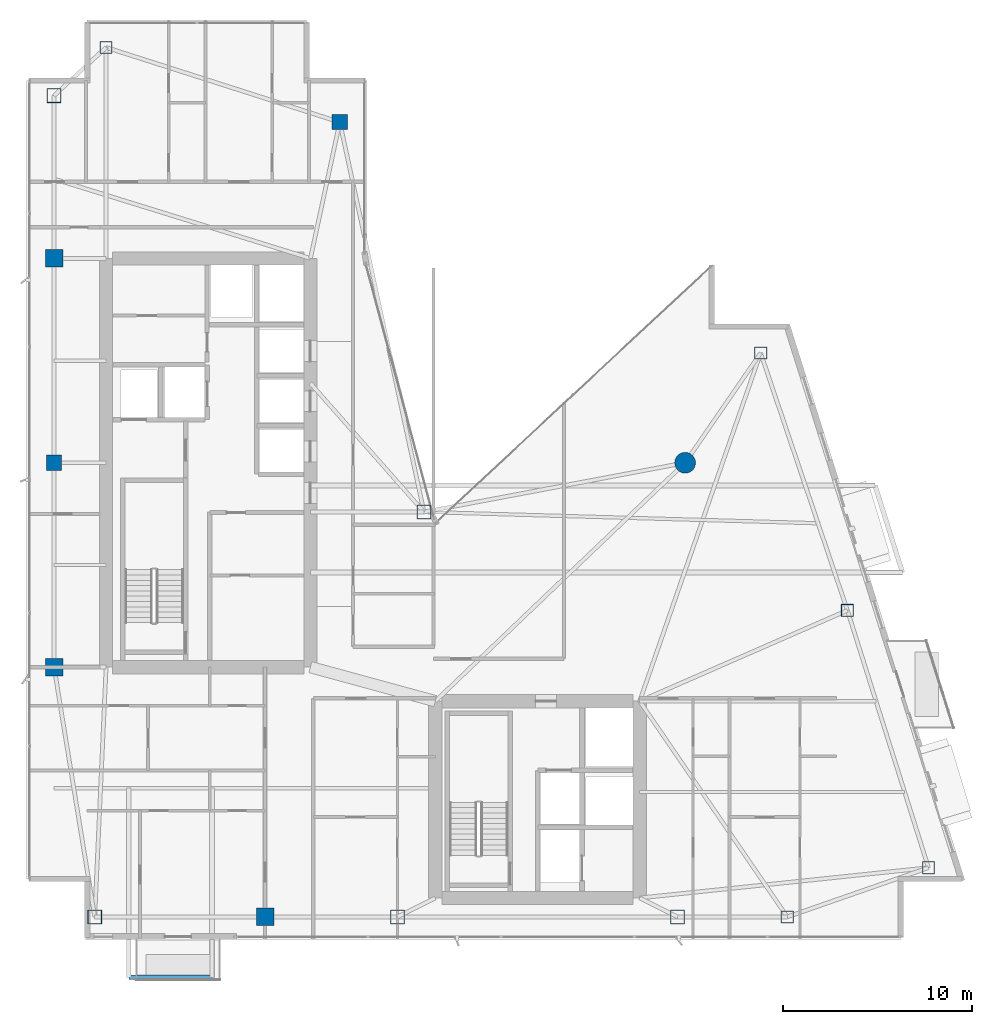
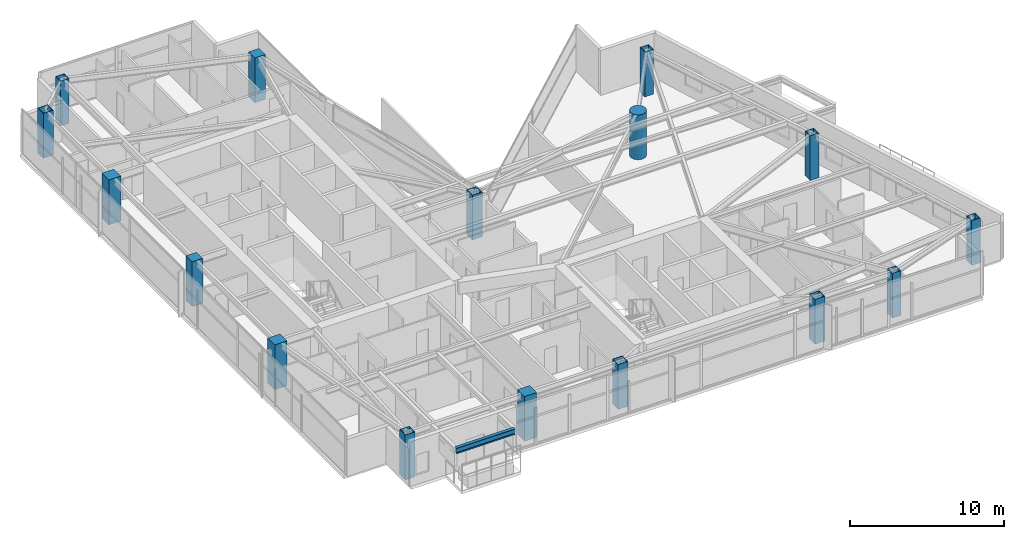
# One storey, part 1 of 27: 16 columns, 1 beam.
"""IFC4 building model written with IfcOpenShell, lengths in metres."""

import ifcopenshell
import ifcopenshell.guid

model = None  # the IFC model being written
_history = None  # IfcOwnerHistory: only IFC2X3 demands one
_inside = {}  # id of a spatial element -> (the spatial element, [elements in it])
_under = {}  # id of a project, library or spatial element -> (it, [spatial elements below it])
_declared = {}  # id of a project -> (the project, [libraries it declares])
_typed = {}  # id of a type object -> (the type object, [elements of that type])
_made_of = {}  # id of a material, layer set ... -> (it, [elements and type objects made of it])


def new_model(schema):
    """Start an empty IFC model of exactly this schema.

    Asked for "IFC4X3", IfcOpenShell would pick the latest addendum, in which some entities
    have other attributes; the version numbers below select the first issue.
    IFC2X3 requires an IfcOwnerHistory on every rooted entity: one is made here for all.
    """
    global model, _history
    if schema == "IFC4X3":
        model = ifcopenshell.file(schema_version=(4, 3, 0, 0))
    else:
        model = ifcopenshell.file(schema=schema)
    _inside.clear()
    _under.clear()
    _declared.clear()
    _typed.clear()
    _made_of.clear()
    _history = None
    if model.schema == "IFC2X3":
        org = make("IfcOrganization", Name="unknown")
        user = make(
            "IfcPersonAndOrganization",
            ThePerson=make("IfcPerson", FamilyName="unknown"),
            TheOrganization=org,
        )
        app = make(
            "IfcApplication",
            ApplicationDeveloper=org,
            Version="unknown",
            ApplicationFullName="unknown",
            ApplicationIdentifier="unknown",
        )
        _history = make(
            "IfcOwnerHistory",
            OwningUser=user,
            OwningApplication=app,
            ChangeAction="ADDED",
            CreationDate=0,
        )
    return model


def make(cls, **values):
    """One entity of the class cls with the attributes given. An attribute that is None is left unset."""
    return model.create_entity(
        cls, **{name: value for name, value in values.items() if value is not None}
    )


def rooted(cls, **values):
    """An entity with a GlobalId (a new one), such as an element, a storey or a relation."""
    return make(cls, GlobalId=ifcopenshell.guid.new(), OwnerHistory=_history, **values)


def si_unit(unit_type, name, prefix=None):
    """IfcSIUnit, for example si_unit("LENGTHUNIT", "METRE", prefix="MILLI")."""
    return make("IfcSIUnit", UnitType=unit_type, Prefix=prefix, Name=name)


def assignment(units):
    """IfcUnitAssignment: the units of a project."""
    return None if units is None else make("IfcUnitAssignment", Units=units)


def point(xyz):
    """IfcCartesianPoint."""
    return None if xyz is None else make("IfcCartesianPoint", Coordinates=xyz)


def direction(xyz):
    """IfcDirection."""
    return None if xyz is None else make("IfcDirection", DirectionRatios=xyz)


def frame(location, z_axis=None, x_axis=None):
    """IfcAxis2Placement3D, a coordinate frame: its origin and axes. An axis left out is left unset."""
    return make(
        "IfcAxis2Placement3D",
        Location=point(location),
        Axis=direction(z_axis),
        RefDirection=direction(x_axis),
    )


def frame_2d(location, x_axis=None):
    """IfcAxis2Placement2D, a coordinate frame in the plane: its origin and x axis."""
    return make(
        "IfcAxis2Placement2D", Location=point(location), RefDirection=direction(x_axis)
    )


def origin():
    """The frame at (0, 0, 0) with its axes left unset."""
    return frame((0.0, 0.0, 0.0))


def origin_2d():
    """The frame at (0, 0) in the plane with its x axis left unset."""
    return frame_2d((0.0, 0.0))


def place(relative_to, where):
    """IfcLocalPlacement: puts the frame where relative to a parent placement (None: the world)."""
    return make(
        "IfcLocalPlacement", PlacementRelTo=relative_to, RelativePlacement=where
    )


def context(
    kind, dimensions, precision=None, world=None, true_north=None, identifier=None
):
    """IfcGeometricRepresentationContext, for example the 3D "Model" context."""
    return make(
        "IfcGeometricRepresentationContext",
        ContextIdentifier=identifier,
        ContextType=kind,
        CoordinateSpaceDimension=dimensions,
        Precision=precision,
        WorldCoordinateSystem=world,
        TrueNorth=true_north,
    )


def subcontext(parent, identifier, kind, view, scale=None):
    """IfcGeometricRepresentationSubContext, for example "Body" below "Model"."""
    return make(
        "IfcGeometricRepresentationSubContext",
        ContextIdentifier=identifier,
        ContextType=kind,
        ParentContext=parent,
        TargetScale=scale,
        TargetView=view,
    )


def project(units=None, contexts=None):
    """IfcProject with its units and contexts."""
    return rooted(
        "IfcProject",
        Name="project",
        RepresentationContexts=contexts,
        UnitsInContext=assignment(units),
    )


def spatial(cls, under=None, at=None, **own):
    """A site, building, storey or space (cls), placed at a placement, below another one or the project."""
    s = rooted(cls, ObjectPlacement=at, **own)
    if under is not None:
        _under.setdefault(under.id(), (under, []))[1].append(s)
    return s


def profile(cls, at=None, kind="AREA", **sizes):
    """A parametric profile (cls). Its sizes go by their IFC names, for example OverallWidth=200.0."""
    return make(cls, ProfileType=kind, Position=at, **sizes)


def rectangle(**sizes):
    """IfcRectangleProfileDef."""
    return profile("IfcRectangleProfileDef", **sizes)


def hollow_rectangle(**sizes):
    """IfcRectangleHollowProfileDef."""
    return profile("IfcRectangleHollowProfileDef", **sizes)


def circle(**sizes):
    """IfcCircleProfileDef."""
    return profile("IfcCircleProfileDef", **sizes)


def i_section(**sizes):
    """IfcIShapeProfileDef."""
    return profile("IfcIShapeProfileDef", **sizes)


def extrude(swept, where, along, depth):
    """IfcExtrudedAreaSolid: the profile swept, set in the frame where, extruded along a direction by depth."""
    return make(
        "IfcExtrudedAreaSolid",
        SweptArea=swept,
        Position=where,
        ExtrudedDirection=direction(along),
        Depth=depth,
    )


def shape(context_of_items, identifier, shape_type, items):
    """IfcShapeRepresentation: the items that make up one representation, for example the "Body"."""
    return make(
        "IfcShapeRepresentation",
        ContextOfItems=context_of_items,
        RepresentationIdentifier=identifier,
        RepresentationType=shape_type,
        Items=items,
    )


def material(Name=None, Category=None):
    """IfcMaterial."""
    return make("IfcMaterial", Name=Name, Category=Category)


def material_profile(
    of_material, cross_section, Name=None, Category=None, Priority=None
):
    """IfcMaterialProfile: a cross section and its material."""
    return make(
        "IfcMaterialProfile",
        Name=Name,
        Material=of_material,
        Profile=cross_section,
        Priority=Priority,
        Category=Category,
    )


def profile_set(profiles, Name=None, composite=None):
    """IfcMaterialProfileSet."""
    return make(
        "IfcMaterialProfileSet",
        Name=Name,
        MaterialProfiles=profiles,
        CompositeProfile=composite,
    )


def made_of(thing, what):
    """Note that an element or type object is made of a material, layer set ...; save() writes the relation."""
    if what is not None:
        _made_of.setdefault(what.id(), (what, []))[1].append(thing)
    return thing


def type_object(cls, material=None, **own):
    """A type object (cls), such as IfcWallType, which elements share."""
    return made_of(rooted(cls, **own), material)


def element(
    cls,
    number,
    at=None,
    inside=None,
    cuts=None,
    type_object=None,
    material=None,
    context=None,
    identifier="Body",
    shape_type=None,
    held_by="IfcProductDefinitionShape",
    body=None,
    shapes=None,
    **own,
):
    """One element of the class cls, such as IfcWall. Its Tag is "e" and its number.

    at: its placement. inside: the storey or other place that contains it. cuts: it is an
    opening in that element (IfcRelVoidsElement). A single representation is given by context,
    identifier, shape_type and body (its items); several are given by shapes. held_by: the class
    of the entity that holds the representations. save() writes the other relations.
    """
    e = rooted(cls, Tag="e%d" % number, ObjectPlacement=at, **own)
    if body is not None:
        shapes = [shape(context, identifier, shape_type, body)]
    if shapes is not None:
        e.Representation = make(held_by, Representations=shapes)
    if inside is not None:
        _inside.setdefault(inside.id(), (inside, []))[1].append(e)
    if cuts is not None:
        rooted(
            "IfcRelVoidsElement", RelatingBuildingElement=cuts, RelatedOpeningElement=e
        )
    if type_object is not None:
        _typed.setdefault(type_object.id(), (type_object, []))[1].append(e)
    return made_of(e, material)


def aggregate(whole, parts):
    """IfcRelAggregates: a whole, such as a stair, and the parts it consists of."""
    return rooted("IfcRelAggregates", RelatingObject=whole, RelatedObjects=parts)


def save(model, path):
    """Write the relations noted so far, then the file.

    IfcRelAggregates (storeys below a building ...), IfcRelContainedInSpatialStructure (elements
    in a storey), IfcRelDefinesByType, IfcRelAssociatesMaterial and IfcRelDeclares: one each for
    every whole, place, type object, material and project.
    """
    for whole, parts in _under.values():
        aggregate(whole, parts)
    for where, things in _inside.values():
        rooted(
            "IfcRelContainedInSpatialStructure",
            RelatedElements=things,
            RelatingStructure=where,
        )
    for kind, things in _typed.values():
        rooted("IfcRelDefinesByType", RelatedObjects=things, RelatingType=kind)
    for what, things in _made_of.values():
        rooted("IfcRelAssociatesMaterial", RelatedObjects=things, RelatingMaterial=what)
    for by, libraries in _declared.values():
        rooted("IfcRelDeclares", RelatingContext=by, RelatedDefinitions=libraries)
    model.write(path)


model = new_model("IFC4")

# Units and contexts
model_context = context("Model", 3, precision=1e-05, world=origin(), true_north=direction((0.0, 1.0)))
body_context = subcontext(model_context, "Body", "Model", "MODEL_VIEW")
ifc_project = project(units=[si_unit("LENGTHUNIT", "METRE"), si_unit("AREAUNIT", "SQUARE_METRE"), si_unit("VOLUMEUNIT", "CUBIC_METRE"), si_unit("PLANEANGLEUNIT", "RADIAN"), si_unit("MASSUNIT", "GRAM", prefix="KILO")], contexts=[model_context])

# Site, building, storey
site_placement = place(None, origin())
site = spatial("IfcSite", under=ifc_project, at=site_placement, CompositionType="ELEMENT")
building_placement = place(site_placement, origin())
building = spatial("IfcBuilding", under=site, at=building_placement, Name="Calvorn Quay Hotel", CompositionType="ELEMENT")
storey_placement = place(building_placement, frame((0.0, 0.0, 226.89990234375)))
storey = spatial("IfcBuildingStorey", under=building, at=storey_placement, Name="L56", CompositionType="ELEMENT", Elevation=226.89990234375)

# Columns
ifc_material_1 = material(Name="Concrete C45", Category="concrete")
ifc_material_profile_1 = material_profile(ifc_material_1, rectangle(XDim=0.800048828125, YDim=0.800048828125, at=origin_2d()), Name="RC800x800")
ifc_profile_set_1 = profile_set([ifc_material_profile_1], Name="Concrete C45")
column_type_1 = type_object("IfcColumnType", Name="COL-RC-800", PredefinedType="COLUMN", material=ifc_profile_set_1)
for number, where, z_axis, x_axis, name in (
    (1, (1.449951171875, 27.60009765625, 0.0), (0.0, 0.0, 1.0), (1.0, 0.0, 0.0), "Column C-W3 (L56)"),
    (2, (16.550048828125, 45.60009765625, 0.0), (0.0, 0.0, 1.0), (1.0, 0.0, 0.0), "Column C-IC1 (L56)"),
):
    element("IfcColumn", number, at=place(storey_placement, frame(where, z_axis=z_axis, x_axis=x_axis)), inside=storey, type_object=column_type_1, Name=name, PredefinedType="COLUMN", context=body_context, shape_type="SweptSolid", body=[
        extrude(rectangle(XDim=0.800048828125, YDim=0.800048828125, at=origin_2d()), origin(), (0.0, 0.0, 1.0), 3.56005859375),
    ])
ifc_material_2 = material(Name="Concrete C45", Category="concrete")
ifc_material_profile_2 = material_profile(ifc_material_2, rectangle(XDim=0.919921875, YDim=0.919921875, at=origin_2d()), Name="RC920x920")
ifc_profile_set_2 = profile_set([ifc_material_profile_2], Name="Concrete C45")
column_type_2 = type_object("IfcColumnType", Name="COL-RC-920", PredefinedType="COLUMN", material=ifc_profile_set_2)
for number, where, z_axis, x_axis, name in (
    (3, (1.449951171875, 16.800048828125, 0.0), (0.0, 0.0, 1.0), (1.0, 0.0, 0.0), "Column C-W2 (L56)"),
    (4, (1.449951171875, 38.39990234375, 0.0), (0.0, 0.0, 1.0), (1.0, 0.0, 0.0), "Column C-W4 (L56)"),
    (5, (12.60009765625, 3.60009765625, 0.0), (0.0, 0.0, 1.0), (1.0, 0.0, 0.0), "Column C-S1 (L56)"),
):
    element("IfcColumn", number, at=place(storey_placement, frame(where, z_axis=z_axis, x_axis=x_axis)), inside=storey, type_object=column_type_2, Name=name, PredefinedType="COLUMN", context=body_context, shape_type="SweptSolid", body=[
        extrude(rectangle(XDim=0.919921875, YDim=0.919921875, at=origin_2d()), origin(), (0.0, 0.0, 1.0), 3.56005859375),
    ])
ifc_material_3 = material(Name="Concrete C50", Category="concrete")
ifc_material_profile_3 = material_profile(ifc_material_3, circle(Radius=0.550048828125, at=origin_2d()), Name="RCD1100")
ifc_profile_set_3 = profile_set([ifc_material_profile_3], Name="Concrete C50")
column_type_3 = type_object("IfcColumnType", Name="COL-RC-D1100", PredefinedType="COLUMN", material=ifc_profile_set_3)
column_placement = place(storey_placement, frame((34.800048828125, 27.60009765625, 0.0), z_axis=(0.0, 0.0, 1.0), x_axis=(1.0, 0.0, 0.0)))
element("IfcColumn", 6, at=column_placement, inside=storey, type_object=column_type_3, Name="Column C-NC1 (L56)", PredefinedType="COLUMN", context=body_context, shape_type="SweptSolid", body=[
    extrude(circle(Radius=0.550048828125, at=origin_2d()), origin(), (0.0, 0.0, 1.0), 3.56005859375),
])
ifc_material_4 = material(Name="Steel Q390GJC", Category="steel")
ifc_material_profile_4 = material_profile(ifc_material_4, hollow_rectangle(XDim=0.75, YDim=0.75, WallThickness=0.031982421875, at=origin_2d()), Name="BOX750x750x32")
ifc_profile_set_4 = profile_set([ifc_material_profile_4], Name="Steel Q390GJC")
column_type_4 = type_object("IfcColumnType", Name="COL-STL-Z3", PredefinedType="COLUMN", material=ifc_profile_set_4)
for number, where, z_axis, x_axis, name in (
    (7, (3.60009765625, 3.60009765625, 0.0), (0.0, 0.0, 1.0), (1.0, 0.0, 0.0), "Column C-W1 (L56)"),
    (8, (1.449951171875, 47.0, 0.0), (0.0, 0.0, 1.0), (1.0, 0.0, 0.0), "Column C-W5 (L56)"),
    (9, (21.0, 25.0, 0.0), (0.0, 0.0, 1.0), (1.0, 0.0, 0.0), "Column C-IC2 (L56)"),
    (10, (19.60009765625, 3.60009765625, 0.0), (0.0, 0.0, 1.0), (1.0, 0.0, 0.0), "Column C-S2 (L56)"),
    (11, (34.39990234375, 3.60009765625, 0.0), (0.0, 0.0, 1.0), (1.0, 0.0, 0.0), "Column C-S3 (L56)"),
):
    element("IfcColumn", number, at=place(storey_placement, frame(where, z_axis=z_axis, x_axis=x_axis)), inside=storey, type_object=column_type_4, Name=name, PredefinedType="COLUMN", context=body_context, shape_type="SweptSolid", body=[
        extrude(hollow_rectangle(XDim=0.75, YDim=0.75, WallThickness=0.031982421875, at=origin_2d()), origin(), (0.0, 0.0, 1.0), 3.56005859375),
    ])
ifc_material_5 = material(Name="Steel Q355B", Category="steel")
ifc_material_profile_5 = material_profile(ifc_material_5, hollow_rectangle(XDim=0.64990234375, YDim=0.64990234375, WallThickness=0.028076171875, at=origin_2d()), Name="BOX650x650x28")
ifc_profile_set_5 = profile_set([ifc_material_profile_5], Name="Steel Q355B")
column_type_5 = type_object("IfcColumnType", Name="COL-STL-Z4", PredefinedType="COLUMN", material=ifc_profile_set_5)
for number, where, z_axis, x_axis, name in (
    (12, (4.199951171875, 49.550048828125, 0.0), (0.0, 0.0, 1.0), (1.0, 0.0, 0.0), "Column C-NW1 (L56)"),
    (13, (40.199951171875, 3.60009765625, 0.0), (0.0, 0.0, 1.0), (1.0, 0.0, 0.0), "Column C-S4 (L56)"),
    (14, (47.660888671875, 6.199951171875, 0.0), (0.0, 0.0, 1.0), (1.0, 0.0, 0.0), "Column C-ET1 (L56)"),
    (15, (43.3759765625, 19.800048828125, 0.0), (0.0, 0.0, 1.0), (1.0, 0.0, 0.0), "Column C-ET2 (L56)"),
    (16, (38.791015625, 33.39990234375, 0.0), (0.0, 0.0, 1.0), (1.0, 0.0, 0.0), "Column C-ET3 (L56)"),
):
    element("IfcColumn", number, at=place(storey_placement, frame(where, z_axis=z_axis, x_axis=x_axis)), inside=storey, type_object=column_type_5, Name=name, PredefinedType="COLUMN", context=body_context, shape_type="SweptSolid", body=[
        extrude(hollow_rectangle(XDim=0.64990234375, YDim=0.64990234375, WallThickness=0.028076171875, at=origin_2d()), origin(), (0.0, 0.0, 1.0), 3.56005859375),
    ])

# Beam
ifc_material_6 = material(Name="Steel Q355B", Category="steel")
ifc_material_profile_6 = material_profile(ifc_material_6, i_section(OverallWidth=0.25, OverallDepth=0.449951171875, WebThickness=0.011962890625, FlangeThickness=0.01611328125, FilletRadius=0.01611328125, at=origin_2d()), Name="HN450x250x12x16")
ifc_profile_set_6 = profile_set([ifc_material_profile_6], Name="Steel Q355B")
beam_type = type_object("IfcBeamType", Name="BM-CANT-BALC", PredefinedType="BEAM", material=ifc_profile_set_6)
beam_placement = place(storey_placement, frame((5.39990234375, 0.409912109375, 3.315185546875), z_axis=(1.0, 0.0, 0.0), x_axis=(0.0, 1.0, 0.0)))
element("IfcBeam", 17, at=beam_placement, inside=storey, type_object=beam_type, Name="Beam BCBO-L57-2", PredefinedType="BEAM", context=body_context, shape_type="SweptSolid", body=[
    extrude(i_section(OverallWidth=0.25, OverallDepth=0.449951171875, WebThickness=0.011962890625, FlangeThickness=0.01611328125, FilletRadius=0.01611328125, at=origin_2d()), origin(), (0.0, 0.0, 1.0), 4.400146484375),
])

save(model, "model.ifc")
